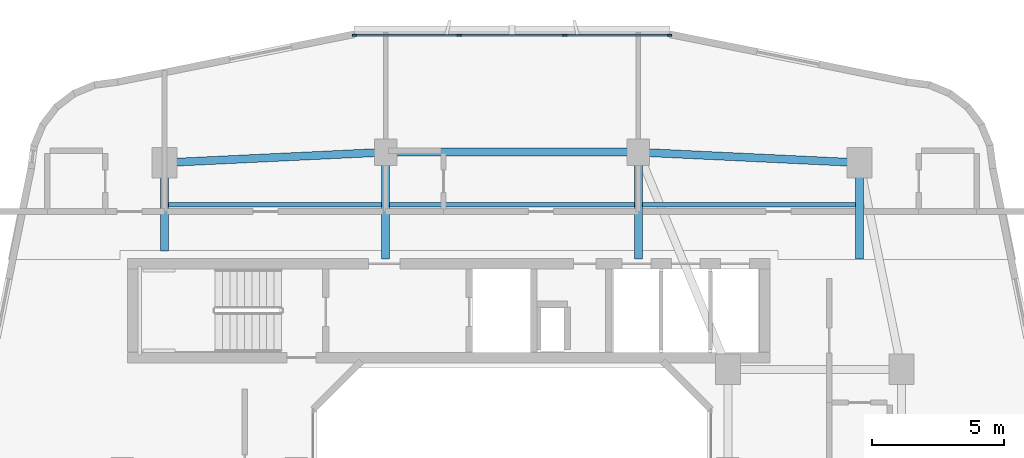
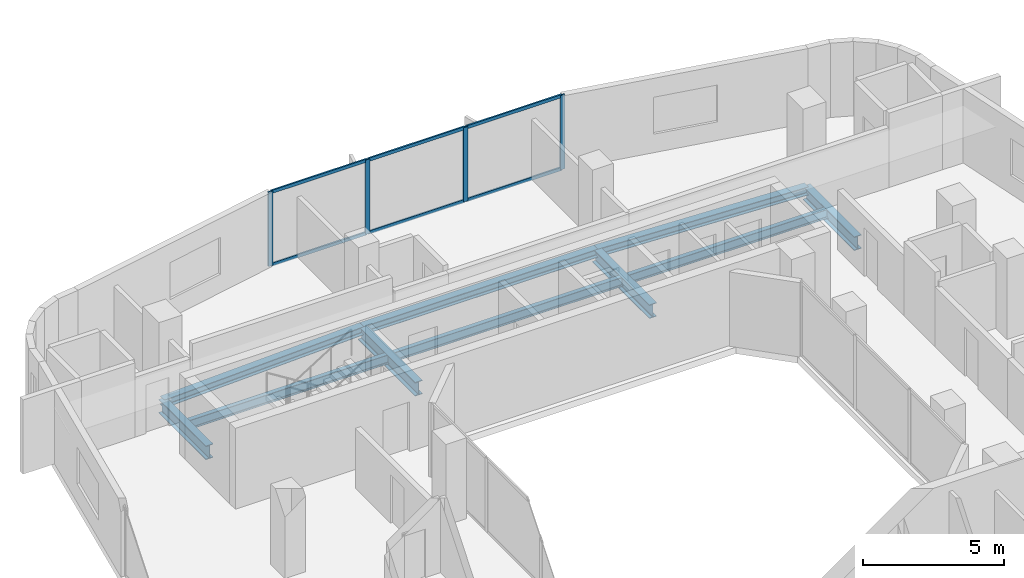
# One storey, part 7 of 26: 10 beams, 10 members, 1 element without a shape of its own.
"""IFC4 building model written with IfcOpenShell, lengths in metres."""

from ifc_helpers import new_model, si_unit, derived_unit, direction, frame, origin, origin_2d, place, context, subcontext, project, spatial, rectangle, i_section, extrude, material, layer, layer_set, material_profile, profile_set, type_object, element, aggregate, save


model = new_model("IFC4")

# Units and contexts
model_context = context("Model", 3, precision=1e-05, world=origin(), true_north=direction((0.0, 1.0)))
body_context = subcontext(model_context, "Body", "Model", "MODEL_VIEW")
ifc_project = project(units=[si_unit("LENGTHUNIT", "METRE"), si_unit("AREAUNIT", "SQUARE_METRE"), si_unit("VOLUMEUNIT", "CUBIC_METRE"), si_unit("PLANEANGLEUNIT", "RADIAN"), si_unit("MASSUNIT", "GRAM", prefix="KILO"), derived_unit("THERMALTRANSMITTANCEUNIT", [(si_unit("POWERUNIT", "WATT"), 1), (si_unit("LENGTHUNIT", "METRE"), -2), (si_unit("THERMODYNAMICTEMPERATUREUNIT", "KELVIN"), -1)])], contexts=[model_context])

# Site, building, storey
site_placement = place(None, origin())
site = spatial("IfcSite", under=ifc_project, at=site_placement, CompositionType="ELEMENT")
building_placement = place(site_placement, origin())
building = spatial("IfcBuilding", under=site, at=building_placement, Name="Kivonza Crest Hotel", CompositionType="ELEMENT")
storey_placement = place(building_placement, frame((0.0, 0.0, 109.0)))
storey = spatial("IfcBuildingStorey", under=building, at=storey_placement, Name="L29", CompositionType="ELEMENT", Elevation=109.0)

# Beams
ifc_material_1 = material(Name="Steel S355", Category="steel")
ifc_material_profile_1 = material_profile(ifc_material_1, i_section(OverallWidth=0.300048828125, OverallDepth=0.360107421875, WebThickness=0.012451171875, FlangeThickness=0.0224609375, FilletRadius=0.027099609375, at=origin_2d()), Name="HEB 360")
ifc_profile_set_1 = profile_set([ifc_material_profile_1], Name="Steel S355")
beam_type_1 = type_object("IfcBeamType", Name="BM-HEB360", PredefinedType="SPANDREL", material=ifc_profile_set_1)
beam_1_placement = place(storey_placement, frame((34.199951171875, 40.199951171875, -0.4599609375), z_axis=(-0.998867283688, 0.047583080799, 0.0), x_axis=(-0.047583080799, -0.998867283688, 0.0)))
element("IfcBeam", 1, at=beam_1_placement, inside=storey, type_object=beam_type_1, Name="Tower T1 L29 perimeter spandrel NE-N2", PredefinedType="SPANDREL", context=body_context, shape_type="SweptSolid", body=[
    extrude(i_section(OverallWidth=0.300048828125, OverallDepth=0.360107421875, WebThickness=0.012451171875, FlangeThickness=0.0224609375, FilletRadius=0.027099609375, at=origin_2d()), origin(), (0.0, 0.0, 1.0), 8.409423828125),
])
beam_2_placement = place(storey_placement, frame((25.800048828125, 40.60009765625, -0.4599609375), z_axis=(-1.0, 0.0, 0.0), x_axis=(0.0, -1.0, 0.0)))
element("IfcBeam", 2, at=beam_2_placement, inside=storey, type_object=beam_type_1, Name="Tower T1 L29 perimeter spandrel N2-N1", PredefinedType="SPANDREL", context=body_context, shape_type="SweptSolid", body=[
    extrude(i_section(OverallWidth=0.300048828125, OverallDepth=0.360107421875, WebThickness=0.012451171875, FlangeThickness=0.0224609375, FilletRadius=0.027099609375, at=origin_2d()), origin(), (0.0, 0.0, 1.0), 9.60009765625),
])
beam_3_placement = place(storey_placement, frame((16.199951171875, 40.60009765625, -0.4599609375), z_axis=(-0.998867283688, -0.047583080799, 0.0), x_axis=(0.047583080799, -0.998867283688, 0.0)))
element("IfcBeam", 3, at=beam_3_placement, inside=storey, type_object=beam_type_1, Name="Tower T1 L29 perimeter spandrel N1-NW", PredefinedType="SPANDREL", context=body_context, shape_type="SweptSolid", body=[
    extrude(i_section(OverallWidth=0.300048828125, OverallDepth=0.360107421875, WebThickness=0.012451171875, FlangeThickness=0.0224609375, FilletRadius=0.027099609375, at=origin_2d()), origin(), (0.0, 0.0, 1.0), 8.409423828125),
])
ifc_material_profile_2 = material_profile(ifc_material_1, i_section(OverallWidth=0.300048828125, OverallDepth=0.60009765625, WebThickness=0.015380859375, FlangeThickness=0.030029296875, FilletRadius=0.027099609375, at=origin_2d()), Name="HEB 600")
ifc_profile_set_2 = profile_set([ifc_material_profile_2], Name="Steel S355")
beam_type_2 = type_object("IfcBeamType", Name="BM-HEB600", PredefinedType="BEAM", material=ifc_profile_set_2)
beam_4_placement = place(storey_placement, frame((7.800048828125, 40.199951171875, -0.580078125), z_axis=(0.0, -1.0, 0.0), x_axis=(1.0, 0.0, 0.0)))
element("IfcBeam", 4, at=beam_4_placement, inside=storey, type_object=beam_type_2, Name="Tower T1 L29 radial core girder RNW", PredefinedType="BEAM", context=body_context, shape_type="SweptSolid", body=[
    extrude(i_section(OverallWidth=0.300048828125, OverallDepth=0.60009765625, WebThickness=0.015380859375, FlangeThickness=0.030029296875, FilletRadius=0.027099609375, at=origin_2d()), origin(), (0.0, 0.0, 1.0), 3.349853515625),
])
for number, where, z_axis, x_axis, name in (
    (5, (16.199951171875, 40.60009765625, -0.580078125), (0.0, -1.0, 0.0), (1.0, 0.0, 0.0), "Tower T1 L29 radial core girder RN1"),
    (6, (25.800048828125, 40.60009765625, -0.580078125), (0.0, -1.0, 0.0), (1.0, 0.0, 0.0), "Tower T1 L29 radial core girder RN2"),
):
    element("IfcBeam", number, at=place(storey_placement, frame(where, z_axis=z_axis, x_axis=x_axis)), inside=storey, type_object=beam_type_2, Name=name, PredefinedType="BEAM", context=body_context, shape_type="SweptSolid", body=[
        extrude(i_section(OverallWidth=0.300048828125, OverallDepth=0.60009765625, WebThickness=0.015380859375, FlangeThickness=0.030029296875, FilletRadius=0.027099609375, at=origin_2d()), origin(), (0.0, 0.0, 1.0), 4.050048828125),
    ])
beam_5_placement = place(storey_placement, frame((34.199951171875, 40.199951171875, -0.580078125), z_axis=(0.0, -1.0, 0.0), x_axis=(1.0, 0.0, 0.0)))
element("IfcBeam", 7, at=beam_5_placement, inside=storey, type_object=beam_type_2, Name="Tower T1 L29 radial core girder RNE", PredefinedType="BEAM", context=body_context, shape_type="SweptSolid", body=[
    extrude(i_section(OverallWidth=0.300048828125, OverallDepth=0.60009765625, WebThickness=0.015380859375, FlangeThickness=0.030029296875, FilletRadius=0.027099609375, at=origin_2d()), origin(), (0.0, 0.0, 1.0), 3.64990234375),
])
ifc_material_profile_3 = material_profile(ifc_material_1, i_section(OverallWidth=0.179931640625, OverallDepth=0.39990234375, WebThickness=0.008544921875, FlangeThickness=0.013427734375, FilletRadius=0.02099609375, at=origin_2d()), Name="IPE 400")
ifc_profile_set_3 = profile_set([ifc_material_profile_3], Name="Steel S355")
beam_type_3 = type_object("IfcBeamType", Name="BM-IPE400", PredefinedType="JOIST", material=ifc_profile_set_3)
beam_6_placement = place(storey_placement, frame((7.8798828125, 38.60009765625, -0.47998046875), z_axis=(1.0, 0.0, 0.0), x_axis=(0.0, 1.0, 0.0)))
element("IfcBeam", 8, at=beam_6_placement, inside=storey, type_object=beam_type_3, Name="Tower T1 L29 North-West floor joist", PredefinedType="JOIST", context=body_context, shape_type="SweptSolid", body=[
    extrude(i_section(OverallWidth=0.179931640625, OverallDepth=0.39990234375, WebThickness=0.008544921875, FlangeThickness=0.013427734375, FilletRadius=0.02099609375, at=origin_2d()), origin(), (0.0, 0.0, 1.0), 8.240234375),
])
beam_7_placement = place(storey_placement, frame((16.280029296875, 38.60009765625, -0.47998046875), z_axis=(1.0, 0.0, 0.0), x_axis=(0.0, 1.0, 0.0)))
element("IfcBeam", 9, at=beam_7_placement, inside=storey, type_object=beam_type_3, Name="Tower T1 L29 North-Mid floor joist", PredefinedType="JOIST", context=body_context, shape_type="SweptSolid", body=[
    extrude(i_section(OverallWidth=0.179931640625, OverallDepth=0.39990234375, WebThickness=0.008544921875, FlangeThickness=0.013427734375, FilletRadius=0.02099609375, at=origin_2d()), origin(), (0.0, 0.0, 1.0), 9.43994140625),
])
beam_8_placement = place(storey_placement, frame((25.8798828125, 38.60009765625, -0.47998046875), z_axis=(1.0, 0.0, 0.0), x_axis=(0.0, 1.0, 0.0)))
element("IfcBeam", 10, at=beam_8_placement, inside=storey, type_object=beam_type_3, Name="Tower T1 L29 North-East floor joist", PredefinedType="JOIST", context=body_context, shape_type="SweptSolid", body=[
    extrude(i_section(OverallWidth=0.179931640625, OverallDepth=0.39990234375, WebThickness=0.008544921875, FlangeThickness=0.013427734375, FilletRadius=0.02099609375, at=origin_2d()), origin(), (0.0, 0.0, 1.0), 8.240234375),
])

# Curtain wall, members
ifc_material_2 = material(Name="Anodised bronze aluminium and low-E double glazing", Category="aluminium")
ifc_layer = layer(ifc_material_2, 0.179931640625)
ifc_layer_set = layer_set([ifc_layer], Name="Anodised bronze aluminium and low-E double glazing")
curtain_wall_type = type_object("IfcCurtainWallType", Name="CW-SYS-2", PredefinedType="NOTDEFINED", material=ifc_layer_set)
curtain_wall_placement = place(storey_placement, origin())
curtain_wall = element("IfcCurtainWall", 11, at=curtain_wall_placement, inside=storey, type_object=curtain_wall_type, Name="L29 unitised curtain wall CW-T1-L29-26", PredefinedType="NOTDEFINED")
ifc_material_3 = material(Name="Anodised bronze aluminium", Category="aluminium")
ifc_material_profile_4 = material_profile(ifc_material_3, rectangle(XDim=0.06494140625, YDim=0.179931640625, at=origin_2d()), Name="CW-M 65x180")
ifc_profile_set_4 = profile_set([ifc_material_profile_4], Name="Anodised bronze aluminium")
member_type_1 = type_object("IfcMemberType", Name="CW-MUL-65x180", PredefinedType="MULLION", material=ifc_profile_set_4)
member_1_placement = place(storey_placement, frame((26.987548828125, 45.0400390625, 0.0), z_axis=(0.0, 0.0, 1.0), x_axis=(0.0, -1.0, 0.0)))
member_1 = element("IfcMember", 12, at=member_1_placement, type_object=member_type_1, Name="CW-2 mullion 1", PredefinedType="MULLION", context=body_context, shape_type="SweptSolid", body=[
    extrude(rectangle(XDim=0.06494140625, YDim=0.179931640625, at=origin_2d()), origin(), (0.0, 0.0, 1.0), 3.219970703125),
])
member_2_placement = place(storey_placement, frame((23.006591796875, 45.0400390625, 0.0), z_axis=(0.0, 0.0, 1.0), x_axis=(0.0, -1.0, 0.0)))
member_2 = element("IfcMember", 13, at=member_2_placement, type_object=member_type_1, Name="CW-2 mullion 2", PredefinedType="MULLION", context=body_context, shape_type="SweptSolid", body=[
    extrude(rectangle(XDim=0.06494140625, YDim=0.179931640625, at=origin_2d()), origin(), (0.0, 0.0, 1.0), 3.219970703125),
])
member_3_placement = place(storey_placement, frame((18.993408203125, 45.0400390625, 0.0), z_axis=(0.0, 0.0, 1.0), x_axis=(0.0, -1.0, 0.0)))
member_3 = element("IfcMember", 14, at=member_3_placement, type_object=member_type_1, Name="CW-2 mullion 3", PredefinedType="MULLION", context=body_context, shape_type="SweptSolid", body=[
    extrude(rectangle(XDim=0.06494140625, YDim=0.179931640625, at=origin_2d()), origin(), (0.0, 0.0, 1.0), 3.219970703125),
])
member_4_placement = place(storey_placement, frame((15.012451171875, 45.0400390625, 0.0), z_axis=(0.0, 0.0, 1.0), x_axis=(0.0, -1.0, 0.0)))
member_4 = element("IfcMember", 15, at=member_4_placement, type_object=member_type_1, Name="CW-2 mullion 4", PredefinedType="MULLION", context=body_context, shape_type="SweptSolid", body=[
    extrude(rectangle(XDim=0.06494140625, YDim=0.179931640625, at=origin_2d()), origin(), (0.0, 0.0, 1.0), 3.219970703125),
])
ifc_material_profile_5 = material_profile(ifc_material_3, rectangle(XDim=0.06494140625, YDim=0.139892578125, at=origin_2d()), Name="CW-T 65x140")
ifc_profile_set_5 = profile_set([ifc_material_profile_5], Name="Anodised bronze aluminium")
member_type_2 = type_object("IfcMemberType", Name="CW-TRN-65x140", PredefinedType="USERDEFINED", material=ifc_profile_set_5)
member_5_placement = place(storey_placement, frame((26.955078125, 45.0400390625, 0.032470703125), z_axis=(-1.0, 0.0, 0.0), x_axis=(0.0, -1.0, 0.0)))
member_5 = element("IfcMember", 16, at=member_5_placement, type_object=member_type_2, Name="CW-2 transom 1.1", ObjectType="TRANSOM", PredefinedType="USERDEFINED", context=body_context, shape_type="SweptSolid", body=[
    extrude(rectangle(XDim=0.06494140625, YDim=0.139892578125, at=origin_2d()), origin(), (0.0, 0.0, 1.0), 3.916015625),
])
member_6_placement = place(storey_placement, frame((26.955078125, 45.0400390625, 3.1875), z_axis=(-1.0, 0.0, 0.0), x_axis=(0.0, -1.0, 0.0)))
member_6 = element("IfcMember", 17, at=member_6_placement, type_object=member_type_2, Name="CW-2 transom 1.2", ObjectType="TRANSOM", PredefinedType="USERDEFINED", context=body_context, shape_type="SweptSolid", body=[
    extrude(rectangle(XDim=0.06494140625, YDim=0.139892578125, at=origin_2d()), origin(), (0.0, 0.0, 1.0), 3.916015625),
])
member_7_placement = place(storey_placement, frame((22.97412109375, 45.0400390625, 0.032470703125), z_axis=(-1.0, 0.0, 0.0), x_axis=(0.0, -1.0, 0.0)))
member_7 = element("IfcMember", 18, at=member_7_placement, type_object=member_type_2, Name="CW-2 transom 2.1", ObjectType="TRANSOM", PredefinedType="USERDEFINED", context=body_context, shape_type="SweptSolid", body=[
    extrude(rectangle(XDim=0.06494140625, YDim=0.139892578125, at=origin_2d()), origin(), (0.0, 0.0, 1.0), 3.9482421875),
])
member_8_placement = place(storey_placement, frame((22.97412109375, 45.0400390625, 3.1875), z_axis=(-1.0, 0.0, 0.0), x_axis=(0.0, -1.0, 0.0)))
member_8 = element("IfcMember", 19, at=member_8_placement, type_object=member_type_2, Name="CW-2 transom 2.2", ObjectType="TRANSOM", PredefinedType="USERDEFINED", context=body_context, shape_type="SweptSolid", body=[
    extrude(rectangle(XDim=0.06494140625, YDim=0.139892578125, at=origin_2d()), origin(), (0.0, 0.0, 1.0), 3.9482421875),
])
member_9_placement = place(storey_placement, frame((18.9609375, 45.0400390625, 0.032470703125), z_axis=(-1.0, 0.0, 0.0), x_axis=(0.0, -1.0, 0.0)))
member_9 = element("IfcMember", 20, at=member_9_placement, type_object=member_type_2, Name="CW-2 transom 3.1", ObjectType="TRANSOM", PredefinedType="USERDEFINED", context=body_context, shape_type="SweptSolid", body=[
    extrude(rectangle(XDim=0.06494140625, YDim=0.139892578125, at=origin_2d()), origin(), (0.0, 0.0, 1.0), 3.916015625),
])
member_10_placement = place(storey_placement, frame((18.9609375, 45.0400390625, 3.1875), z_axis=(-1.0, 0.0, 0.0), x_axis=(0.0, -1.0, 0.0)))
member_10 = element("IfcMember", 21, at=member_10_placement, type_object=member_type_2, Name="CW-2 transom 3.2", ObjectType="TRANSOM", PredefinedType="USERDEFINED", context=body_context, shape_type="SweptSolid", body=[
    extrude(rectangle(XDim=0.06494140625, YDim=0.139892578125, at=origin_2d()), origin(), (0.0, 0.0, 1.0), 3.916015625),
])
aggregate(curtain_wall, [member_1, member_2, member_3, member_4, member_5, member_6, member_7, member_8, member_9, member_10])

save(model, "model.ifc")
